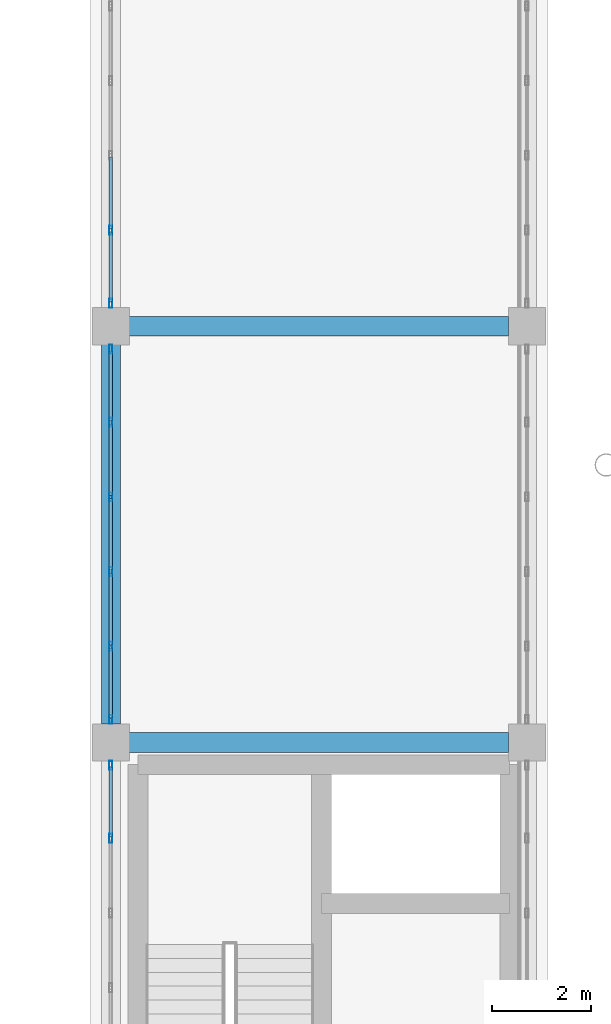
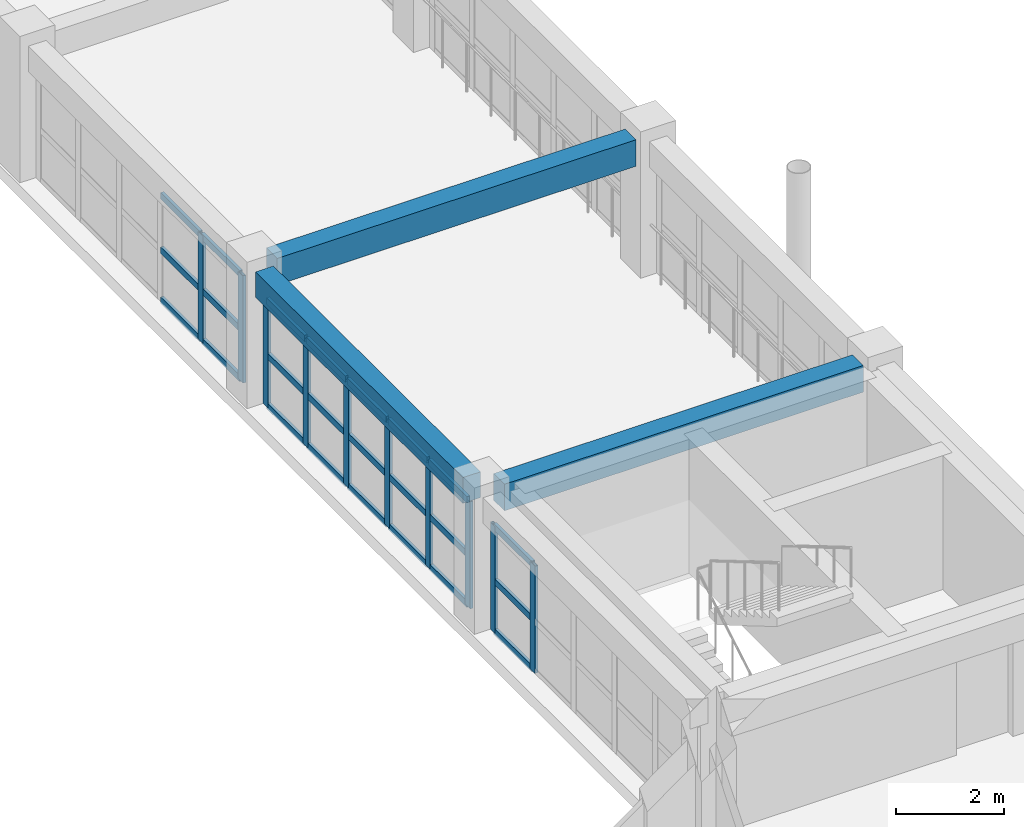
# One storey, part 130 of 200: 34 members, 3 beams, 3 elements without a shape of their own.
"""IFC4 building model written with IfcOpenShell, lengths in metres."""

from ifc_helpers import new_model, si_unit, direction, frame, origin, origin_2d, place, context, subcontext, project, spatial, rectangle, hollow_rectangle, extrude, material, layer, layer_set, material_profile, profile_set, type_object, element, aggregate, save


model = new_model("IFC4")

# Units and contexts
model_context = context("Model", 3, precision=1e-05, world=origin(), true_north=direction((0.0, 1.0)))
body_context = subcontext(model_context, "Body", "Model", "MODEL_VIEW")
ifc_project = project(units=[si_unit("LENGTHUNIT", "METRE"), si_unit("AREAUNIT", "SQUARE_METRE"), si_unit("VOLUMEUNIT", "CUBIC_METRE"), si_unit("PLANEANGLEUNIT", "RADIAN"), si_unit("MASSUNIT", "GRAM", prefix="KILO")], contexts=[model_context])

# Site, building, storey
site_placement = place(None, origin())
site = spatial("IfcSite", under=ifc_project, at=site_placement, CompositionType="ELEMENT")
building_placement = place(site_placement, origin())
building = spatial("IfcBuilding", under=site, at=building_placement, Name="Trelvath General Hospital", CompositionType="ELEMENT")
storey_placement = place(building_placement, frame((0.0, 0.0, 4.800048828125)))
storey = spatial("IfcBuildingStorey", under=building, at=storey_placement, Name="L01", CompositionType="ELEMENT", Elevation=4.800048828125)

# Beams
ifc_material_1 = material(Name="Concrete C35/45", Category="concrete")
ifc_material_profile_1 = material_profile(ifc_material_1, rectangle(XDim=0.3798828125, YDim=0.580078125, at=origin_2d()), Name="RCB380x580")
ifc_profile_set_1 = profile_set([ifc_material_profile_1], Name="Concrete C35/45")
beam_type_1 = type_object("IfcBeamType", Name="Beam RC380x580", PredefinedType="BEAM", material=ifc_profile_set_1)
beam_placement = place(storey_placement, frame((134.39990234375, 33.969970703125, 2.72998046875), z_axis=(0.0, 1.0, 0.0), x_axis=(-1.0, 0.0, 0.0)))
element("IfcBeam", 1, at=beam_placement, inside=storey, type_object=beam_type_1, Name="Grid Beam BY-116E", PredefinedType="BEAM", context=body_context, shape_type="SweptSolid", body=[
    extrude(rectangle(XDim=0.3798828125, YDim=0.580078125, at=origin_2d()), origin(), (0.0, 0.0, 1.0), 7.659912109375),
])
ifc_material_2 = material(Name="Concrete C35/45", Category="concrete")
ifc_material_profile_2 = material_profile(ifc_material_2, rectangle(XDim=0.39990234375, YDim=0.60009765625, at=origin_2d()), Name="RCB400x600")
ifc_profile_set_2 = profile_set([ifc_material_profile_2], Name="Concrete C35/45")
beam_type_2 = type_object("IfcBeamType", Name="Beam RC400x600", PredefinedType="BEAM", material=ifc_profile_set_2)
for number, where, z_axis, x_axis, name in (
    (2, (134.77001953125, 33.60009765625, 2.719970703125), (1.0, 0.0, 0.0), (0.0, 1.0, 0.0), "Grid Beam BX-116E"),
    (3, (134.77001953125, 42.0, 2.719970703125), (1.0, 0.0, 0.0), (0.0, 1.0, 0.0), "Grid Beam BX-116F"),
):
    element("IfcBeam", number, at=place(storey_placement, frame(where, z_axis=z_axis, x_axis=x_axis)), inside=storey, type_object=beam_type_2, Name=name, PredefinedType="BEAM", context=body_context, shape_type="SweptSolid", body=[
        extrude(rectangle(XDim=0.39990234375, YDim=0.60009765625, at=origin_2d()), origin(), (0.0, 0.0, 1.0), 7.659912109375),
    ])

# Curtain wall, members
ifc_material_3 = material(Name="Anodised aluminium and low-E glass", Category="aluminium")
ifc_layer = layer(ifc_material_3, 0.179931640625)
ifc_layer_set = layer_set([ifc_layer], Name="Anodised aluminium and low-E glass")
curtain_wall_type = type_object("IfcCurtainWallType", Name="CW Facade 754 242 18", PredefinedType="USERDEFINED", material=ifc_layer_set)
curtain_wall_1_placement = place(storey_placement, origin())
curtain_wall_1 = element("IfcCurtainWall", 4, at=curtain_wall_1_placement, inside=storey, type_object=curtain_wall_type, Name="Facade Curtain Wall CW-020", ObjectType="Unitised Glazed Curtain Wall", PredefinedType="USERDEFINED")
ifc_material_4 = material(Name="Anodised aluminium", Category="aluminium")
ifc_material_profile_3 = material_profile(ifc_material_4, hollow_rectangle(XDim=0.06494140625, YDim=0.179931640625, WallThickness=0.0048828125, at=origin_2d()), Name="RHS65x180x5")
ifc_profile_set_3 = profile_set([ifc_material_profile_3], Name="Anodised aluminium")
member_type_1 = type_object("IfcMemberType", Name="CurtainMullion 65x180", PredefinedType="MULLION", material=ifc_profile_set_3)
member_1_placement = place(storey_placement, frame((134.39990234375, 31.662109375, 0.0), z_axis=(0.0, 0.0, 1.0), x_axis=(-1.0, 0.0, 0.0)))
member_1 = element("IfcMember", 5, at=member_1_placement, type_object=member_type_1, Name="CW-020 mullion 5", PredefinedType="MULLION", context=body_context, shape_type="SweptSolid", body=[
    extrude(hollow_rectangle(XDim=0.06494140625, YDim=0.179931640625, WallThickness=0.0048828125, at=origin_2d()), origin(), (0.0, 0.0, 1.0), 2.419921875),
])
member_2_placement = place(storey_placement, frame((134.39990234375, 33.137451171875, 0.0), z_axis=(0.0, 0.0, 1.0), x_axis=(-1.0, 0.0, 0.0)))
member_2 = element("IfcMember", 6, at=member_2_placement, type_object=member_type_1, Name="CW-020 mullion 6", PredefinedType="MULLION", context=body_context, shape_type="SweptSolid", body=[
    extrude(hollow_rectangle(XDim=0.06494140625, YDim=0.179931640625, WallThickness=0.0048828125, at=origin_2d()), origin(), (0.0, 0.0, 1.0), 2.419921875),
])

curtain_wall_2_placement = place(storey_placement, origin())
curtain_wall_2 = element("IfcCurtainWall", 7, at=curtain_wall_2_placement, inside=storey, type_object=curtain_wall_type, Name="Facade Curtain Wall CW-022", ObjectType="Unitised Glazed Curtain Wall", PredefinedType="USERDEFINED")
member_3_placement = place(storey_placement, frame((134.39990234375, 34.0625, 0.0), z_axis=(0.0, 0.0, 1.0), x_axis=(-1.0, 0.0, 0.0)))
member_3 = element("IfcMember", 8, at=member_3_placement, type_object=member_type_1, Name="CW-022 mullion 1", PredefinedType="MULLION", context=body_context, shape_type="SweptSolid", body=[
    extrude(hollow_rectangle(XDim=0.06494140625, YDim=0.179931640625, WallThickness=0.0048828125, at=origin_2d()), origin(), (0.0, 0.0, 1.0), 2.419921875),
])
member_4_placement = place(storey_placement, frame((134.39990234375, 35.5380859375, 0.0), z_axis=(0.0, 0.0, 1.0), x_axis=(-1.0, 0.0, 0.0)))
member_4 = element("IfcMember", 9, at=member_4_placement, type_object=member_type_1, Name="CW-022 mullion 2", PredefinedType="MULLION", context=body_context, shape_type="SweptSolid", body=[
    extrude(hollow_rectangle(XDim=0.06494140625, YDim=0.179931640625, WallThickness=0.0048828125, at=origin_2d()), origin(), (0.0, 0.0, 1.0), 2.419921875),
])
member_5_placement = place(storey_placement, frame((134.39990234375, 37.0458984375, 0.0), z_axis=(0.0, 0.0, 1.0), x_axis=(-1.0, 0.0, 0.0)))
member_5 = element("IfcMember", 10, at=member_5_placement, type_object=member_type_1, Name="CW-022 mullion 3", PredefinedType="MULLION", context=body_context, shape_type="SweptSolid", body=[
    extrude(hollow_rectangle(XDim=0.06494140625, YDim=0.179931640625, WallThickness=0.0048828125, at=origin_2d()), origin(), (0.0, 0.0, 1.0), 2.419921875),
])
member_6_placement = place(storey_placement, frame((134.39990234375, 38.553955078125, 0.0), z_axis=(0.0, 0.0, 1.0), x_axis=(-1.0, 0.0, 0.0)))
member_6 = element("IfcMember", 11, at=member_6_placement, type_object=member_type_1, Name="CW-022 mullion 4", PredefinedType="MULLION", context=body_context, shape_type="SweptSolid", body=[
    extrude(hollow_rectangle(XDim=0.06494140625, YDim=0.179931640625, WallThickness=0.0048828125, at=origin_2d()), origin(), (0.0, 0.0, 1.0), 2.419921875),
])
member_7_placement = place(storey_placement, frame((134.39990234375, 40.06201171875, 0.0), z_axis=(0.0, 0.0, 1.0), x_axis=(-1.0, 0.0, 0.0)))
member_7 = element("IfcMember", 12, at=member_7_placement, type_object=member_type_1, Name="CW-022 mullion 5", PredefinedType="MULLION", context=body_context, shape_type="SweptSolid", body=[
    extrude(hollow_rectangle(XDim=0.06494140625, YDim=0.179931640625, WallThickness=0.0048828125, at=origin_2d()), origin(), (0.0, 0.0, 1.0), 2.419921875),
])
member_8_placement = place(storey_placement, frame((134.39990234375, 41.53759765625, 0.0), z_axis=(0.0, 0.0, 1.0), x_axis=(-1.0, 0.0, 0.0)))
member_8 = element("IfcMember", 13, at=member_8_placement, type_object=member_type_1, Name="CW-022 mullion 6", PredefinedType="MULLION", context=body_context, shape_type="SweptSolid", body=[
    extrude(hollow_rectangle(XDim=0.06494140625, YDim=0.179931640625, WallThickness=0.0048828125, at=origin_2d()), origin(), (0.0, 0.0, 1.0), 2.419921875),
])

curtain_wall_3_placement = place(storey_placement, origin())
curtain_wall_3 = element("IfcCurtainWall", 14, at=curtain_wall_3_placement, inside=storey, type_object=curtain_wall_type, Name="Facade Curtain Wall CW-024", ObjectType="Unitised Glazed Curtain Wall", PredefinedType="USERDEFINED")
member_9_placement = place(storey_placement, frame((134.39990234375, 42.46240234375, 0.0), z_axis=(0.0, 0.0, 1.0), x_axis=(-1.0, 0.0, 0.0)))
member_9 = element("IfcMember", 15, at=member_9_placement, type_object=member_type_1, Name="CW-024 mullion 1", PredefinedType="MULLION", context=body_context, shape_type="SweptSolid", body=[
    extrude(hollow_rectangle(XDim=0.06494140625, YDim=0.179931640625, WallThickness=0.0048828125, at=origin_2d()), origin(), (0.0, 0.0, 1.0), 2.419921875),
])
member_10_placement = place(storey_placement, frame((134.39990234375, 43.93798828125, 0.0), z_axis=(0.0, 0.0, 1.0), x_axis=(-1.0, 0.0, 0.0)))
member_10 = element("IfcMember", 16, at=member_10_placement, type_object=member_type_1, Name="CW-024 mullion 2", PredefinedType="MULLION", context=body_context, shape_type="SweptSolid", body=[
    extrude(hollow_rectangle(XDim=0.06494140625, YDim=0.179931640625, WallThickness=0.0048828125, at=origin_2d()), origin(), (0.0, 0.0, 1.0), 2.419921875),
])

# Member
ifc_material_5 = material(Name="Anodised aluminium", Category="aluminium")
ifc_material_profile_4 = material_profile(ifc_material_5, hollow_rectangle(XDim=0.06494140625, YDim=0.14501953125, WallThickness=0.00390625, at=origin_2d()), Name="RHS65x145x4")
ifc_profile_set_4 = profile_set([ifc_material_profile_4], Name="Anodised aluminium")
member_type_2 = type_object("IfcMemberType", Name="CurtainTransom 65x145", PredefinedType="USERDEFINED", material=ifc_profile_set_4)
member_11_placement = place(storey_placement, frame((134.39990234375, 31.694580078125, 0.032470703125), z_axis=(0.0, 1.0, 0.0), x_axis=(-1.0, 0.0, 0.0)))
member_11 = element("IfcMember", 17, at=member_11_placement, type_object=member_type_2, Name="CW-020 transom 5.1", ObjectType="TRANSOM", PredefinedType="USERDEFINED", context=body_context, shape_type="SweptSolid", body=[
    extrude(hollow_rectangle(XDim=0.06494140625, YDim=0.14501953125, WallThickness=0.00390625, at=origin_2d()), origin(), (0.0, 0.0, 1.0), 1.410400390625),
])

member_12_placement = place(storey_placement, frame((134.39990234375, 31.694580078125, 1.161865234375), z_axis=(0.0, 1.0, 0.0), x_axis=(-1.0, 0.0, 0.0)))
member_12 = element("IfcMember", 18, at=member_12_placement, type_object=member_type_2, Name="CW-020 transom 5.2", ObjectType="TRANSOM", PredefinedType="USERDEFINED", context=body_context, shape_type="SweptSolid", body=[
    extrude(hollow_rectangle(XDim=0.06494140625, YDim=0.14501953125, WallThickness=0.00390625, at=origin_2d()), origin(), (0.0, 0.0, 1.0), 1.410400390625),
])

member_13_placement = place(storey_placement, frame((134.39990234375, 31.694580078125, 2.387451171875), z_axis=(0.0, 1.0, 0.0), x_axis=(-1.0, 0.0, 0.0)))
member_13 = element("IfcMember", 19, at=member_13_placement, type_object=member_type_2, Name="CW-020 transom 5.3", ObjectType="TRANSOM", PredefinedType="USERDEFINED", context=body_context, shape_type="SweptSolid", body=[
    extrude(hollow_rectangle(XDim=0.06494140625, YDim=0.14501953125, WallThickness=0.00390625, at=origin_2d()), origin(), (0.0, 0.0, 1.0), 1.410400390625),
])

aggregate(curtain_wall_1, [member_1, member_2, member_11, member_12, member_13])

member_14_placement = place(storey_placement, frame((134.39990234375, 34.094970703125, 0.032470703125), z_axis=(0.0, 1.0, 0.0), x_axis=(-1.0, 0.0, 0.0)))
member_14 = element("IfcMember", 20, at=member_14_placement, type_object=member_type_2, Name="CW-022 transom 1.1", ObjectType="TRANSOM", PredefinedType="USERDEFINED", context=body_context, shape_type="SweptSolid", body=[
    extrude(hollow_rectangle(XDim=0.06494140625, YDim=0.14501953125, WallThickness=0.00390625, at=origin_2d()), origin(), (0.0, 0.0, 1.0), 1.41064453125),
])

member_15_placement = place(storey_placement, frame((134.39990234375, 34.094970703125, 1.161865234375), z_axis=(0.0, 1.0, 0.0), x_axis=(-1.0, 0.0, 0.0)))
member_15 = element("IfcMember", 21, at=member_15_placement, type_object=member_type_2, Name="CW-022 transom 1.2", ObjectType="TRANSOM", PredefinedType="USERDEFINED", context=body_context, shape_type="SweptSolid", body=[
    extrude(hollow_rectangle(XDim=0.06494140625, YDim=0.14501953125, WallThickness=0.00390625, at=origin_2d()), origin(), (0.0, 0.0, 1.0), 1.41064453125),
])

member_16_placement = place(storey_placement, frame((134.39990234375, 34.094970703125, 2.387451171875), z_axis=(0.0, 1.0, 0.0), x_axis=(-1.0, 0.0, 0.0)))
member_16 = element("IfcMember", 22, at=member_16_placement, type_object=member_type_2, Name="CW-022 transom 1.3", ObjectType="TRANSOM", PredefinedType="USERDEFINED", context=body_context, shape_type="SweptSolid", body=[
    extrude(hollow_rectangle(XDim=0.06494140625, YDim=0.14501953125, WallThickness=0.00390625, at=origin_2d()), origin(), (0.0, 0.0, 1.0), 1.41064453125),
])

member_17_placement = place(storey_placement, frame((134.39990234375, 35.570556640625, 0.032470703125), z_axis=(0.0, 1.0, 0.0), x_axis=(-1.0, 0.0, 0.0)))
member_17 = element("IfcMember", 23, at=member_17_placement, type_object=member_type_2, Name="CW-022 transom 2.1", ObjectType="TRANSOM", PredefinedType="USERDEFINED", context=body_context, shape_type="SweptSolid", body=[
    extrude(hollow_rectangle(XDim=0.06494140625, YDim=0.14501953125, WallThickness=0.00390625, at=origin_2d()), origin(), (0.0, 0.0, 1.0), 1.44287109375),
])

member_18_placement = place(storey_placement, frame((134.39990234375, 35.570556640625, 1.161865234375), z_axis=(0.0, 1.0, 0.0), x_axis=(-1.0, 0.0, 0.0)))
member_18 = element("IfcMember", 24, at=member_18_placement, type_object=member_type_2, Name="CW-022 transom 2.2", ObjectType="TRANSOM", PredefinedType="USERDEFINED", context=body_context, shape_type="SweptSolid", body=[
    extrude(hollow_rectangle(XDim=0.06494140625, YDim=0.14501953125, WallThickness=0.00390625, at=origin_2d()), origin(), (0.0, 0.0, 1.0), 1.44287109375),
])

member_19_placement = place(storey_placement, frame((134.39990234375, 35.570556640625, 2.387451171875), z_axis=(0.0, 1.0, 0.0), x_axis=(-1.0, 0.0, 0.0)))
member_19 = element("IfcMember", 25, at=member_19_placement, type_object=member_type_2, Name="CW-022 transom 2.3", ObjectType="TRANSOM", PredefinedType="USERDEFINED", context=body_context, shape_type="SweptSolid", body=[
    extrude(hollow_rectangle(XDim=0.06494140625, YDim=0.14501953125, WallThickness=0.00390625, at=origin_2d()), origin(), (0.0, 0.0, 1.0), 1.44287109375),
])

member_20_placement = place(storey_placement, frame((134.39990234375, 37.07861328125, 0.032470703125), z_axis=(0.0, 1.0, 0.0), x_axis=(-1.0, 0.0, 0.0)))
member_20 = element("IfcMember", 26, at=member_20_placement, type_object=member_type_2, Name="CW-022 transom 3.1", ObjectType="TRANSOM", PredefinedType="USERDEFINED", context=body_context, shape_type="SweptSolid", body=[
    extrude(hollow_rectangle(XDim=0.06494140625, YDim=0.14501953125, WallThickness=0.00390625, at=origin_2d()), origin(), (0.0, 0.0, 1.0), 1.44287109375),
])

member_21_placement = place(storey_placement, frame((134.39990234375, 37.07861328125, 1.161865234375), z_axis=(0.0, 1.0, 0.0), x_axis=(-1.0, 0.0, 0.0)))
member_21 = element("IfcMember", 27, at=member_21_placement, type_object=member_type_2, Name="CW-022 transom 3.2", ObjectType="TRANSOM", PredefinedType="USERDEFINED", context=body_context, shape_type="SweptSolid", body=[
    extrude(hollow_rectangle(XDim=0.06494140625, YDim=0.14501953125, WallThickness=0.00390625, at=origin_2d()), origin(), (0.0, 0.0, 1.0), 1.44287109375),
])

member_22_placement = place(storey_placement, frame((134.39990234375, 37.07861328125, 2.387451171875), z_axis=(0.0, 1.0, 0.0), x_axis=(-1.0, 0.0, 0.0)))
member_22 = element("IfcMember", 28, at=member_22_placement, type_object=member_type_2, Name="CW-022 transom 3.3", ObjectType="TRANSOM", PredefinedType="USERDEFINED", context=body_context, shape_type="SweptSolid", body=[
    extrude(hollow_rectangle(XDim=0.06494140625, YDim=0.14501953125, WallThickness=0.00390625, at=origin_2d()), origin(), (0.0, 0.0, 1.0), 1.44287109375),
])

member_23_placement = place(storey_placement, frame((134.39990234375, 38.58642578125, 0.032470703125), z_axis=(0.0, 1.0, 0.0), x_axis=(-1.0, 0.0, 0.0)))
member_23 = element("IfcMember", 29, at=member_23_placement, type_object=member_type_2, Name="CW-022 transom 4.1", ObjectType="TRANSOM", PredefinedType="USERDEFINED", context=body_context, shape_type="SweptSolid", body=[
    extrude(hollow_rectangle(XDim=0.06494140625, YDim=0.14501953125, WallThickness=0.00390625, at=origin_2d()), origin(), (0.0, 0.0, 1.0), 1.443115234375),
])

member_24_placement = place(storey_placement, frame((134.39990234375, 38.58642578125, 1.161865234375), z_axis=(0.0, 1.0, 0.0), x_axis=(-1.0, 0.0, 0.0)))
member_24 = element("IfcMember", 30, at=member_24_placement, type_object=member_type_2, Name="CW-022 transom 4.2", ObjectType="TRANSOM", PredefinedType="USERDEFINED", context=body_context, shape_type="SweptSolid", body=[
    extrude(hollow_rectangle(XDim=0.06494140625, YDim=0.14501953125, WallThickness=0.00390625, at=origin_2d()), origin(), (0.0, 0.0, 1.0), 1.443115234375),
])

member_25_placement = place(storey_placement, frame((134.39990234375, 38.58642578125, 2.387451171875), z_axis=(0.0, 1.0, 0.0), x_axis=(-1.0, 0.0, 0.0)))
member_25 = element("IfcMember", 31, at=member_25_placement, type_object=member_type_2, Name="CW-022 transom 4.3", ObjectType="TRANSOM", PredefinedType="USERDEFINED", context=body_context, shape_type="SweptSolid", body=[
    extrude(hollow_rectangle(XDim=0.06494140625, YDim=0.14501953125, WallThickness=0.00390625, at=origin_2d()), origin(), (0.0, 0.0, 1.0), 1.443115234375),
])

member_26_placement = place(storey_placement, frame((134.39990234375, 40.094482421875, 0.032470703125), z_axis=(0.0, 1.0, 0.0), x_axis=(-1.0, 0.0, 0.0)))
member_26 = element("IfcMember", 32, at=member_26_placement, type_object=member_type_2, Name="CW-022 transom 5.1", ObjectType="TRANSOM", PredefinedType="USERDEFINED", context=body_context, shape_type="SweptSolid", body=[
    extrude(hollow_rectangle(XDim=0.06494140625, YDim=0.14501953125, WallThickness=0.00390625, at=origin_2d()), origin(), (0.0, 0.0, 1.0), 1.410400390625),
])

member_27_placement = place(storey_placement, frame((134.39990234375, 40.094482421875, 1.161865234375), z_axis=(0.0, 1.0, 0.0), x_axis=(-1.0, 0.0, 0.0)))
member_27 = element("IfcMember", 33, at=member_27_placement, type_object=member_type_2, Name="CW-022 transom 5.2", ObjectType="TRANSOM", PredefinedType="USERDEFINED", context=body_context, shape_type="SweptSolid", body=[
    extrude(hollow_rectangle(XDim=0.06494140625, YDim=0.14501953125, WallThickness=0.00390625, at=origin_2d()), origin(), (0.0, 0.0, 1.0), 1.410400390625),
])

member_28_placement = place(storey_placement, frame((134.39990234375, 40.094482421875, 2.387451171875), z_axis=(0.0, 1.0, 0.0), x_axis=(-1.0, 0.0, 0.0)))
member_28 = element("IfcMember", 34, at=member_28_placement, type_object=member_type_2, Name="CW-022 transom 5.3", ObjectType="TRANSOM", PredefinedType="USERDEFINED", context=body_context, shape_type="SweptSolid", body=[
    extrude(hollow_rectangle(XDim=0.06494140625, YDim=0.14501953125, WallThickness=0.00390625, at=origin_2d()), origin(), (0.0, 0.0, 1.0), 1.410400390625),
])

aggregate(curtain_wall_2, [member_3, member_4, member_5, member_6, member_7, member_8, member_14, member_15, member_16, member_17, member_18, member_19, member_20, member_21, member_22, member_23, member_24, member_25, member_26, member_27, member_28])

member_29_placement = place(storey_placement, frame((134.39990234375, 42.4951171875, 0.032470703125), z_axis=(0.0, 1.0, 0.0), x_axis=(-1.0, 0.0, 0.0)))
member_29 = element("IfcMember", 35, at=member_29_placement, type_object=member_type_2, Name="CW-024 transom 1.1", ObjectType="TRANSOM", PredefinedType="USERDEFINED", context=body_context, shape_type="SweptSolid", body=[
    extrude(hollow_rectangle(XDim=0.06494140625, YDim=0.14501953125, WallThickness=0.00390625, at=origin_2d()), origin(), (0.0, 0.0, 1.0), 1.410400390625),
])

member_30_placement = place(storey_placement, frame((134.39990234375, 42.4951171875, 1.161865234375), z_axis=(0.0, 1.0, 0.0), x_axis=(-1.0, 0.0, 0.0)))
member_30 = element("IfcMember", 36, at=member_30_placement, type_object=member_type_2, Name="CW-024 transom 1.2", ObjectType="TRANSOM", PredefinedType="USERDEFINED", context=body_context, shape_type="SweptSolid", body=[
    extrude(hollow_rectangle(XDim=0.06494140625, YDim=0.14501953125, WallThickness=0.00390625, at=origin_2d()), origin(), (0.0, 0.0, 1.0), 1.410400390625),
])

member_31_placement = place(storey_placement, frame((134.39990234375, 42.4951171875, 2.387451171875), z_axis=(0.0, 1.0, 0.0), x_axis=(-1.0, 0.0, 0.0)))
member_31 = element("IfcMember", 37, at=member_31_placement, type_object=member_type_2, Name="CW-024 transom 1.3", ObjectType="TRANSOM", PredefinedType="USERDEFINED", context=body_context, shape_type="SweptSolid", body=[
    extrude(hollow_rectangle(XDim=0.06494140625, YDim=0.14501953125, WallThickness=0.00390625, at=origin_2d()), origin(), (0.0, 0.0, 1.0), 1.410400390625),
])

member_32_placement = place(storey_placement, frame((134.39990234375, 43.970458984375, 0.032470703125), z_axis=(0.0, 1.0, 0.0), x_axis=(-1.0, 0.0, 0.0)))
member_32 = element("IfcMember", 38, at=member_32_placement, type_object=member_type_2, Name="CW-024 transom 2.1", ObjectType="TRANSOM", PredefinedType="USERDEFINED", context=body_context, shape_type="SweptSolid", body=[
    extrude(hollow_rectangle(XDim=0.06494140625, YDim=0.14501953125, WallThickness=0.00390625, at=origin_2d()), origin(), (0.0, 0.0, 1.0), 1.443115234375),
])

member_33_placement = place(storey_placement, frame((134.39990234375, 43.970458984375, 1.161865234375), z_axis=(0.0, 1.0, 0.0), x_axis=(-1.0, 0.0, 0.0)))
member_33 = element("IfcMember", 39, at=member_33_placement, type_object=member_type_2, Name="CW-024 transom 2.2", ObjectType="TRANSOM", PredefinedType="USERDEFINED", context=body_context, shape_type="SweptSolid", body=[
    extrude(hollow_rectangle(XDim=0.06494140625, YDim=0.14501953125, WallThickness=0.00390625, at=origin_2d()), origin(), (0.0, 0.0, 1.0), 1.443115234375),
])

member_34_placement = place(storey_placement, frame((134.39990234375, 43.970458984375, 2.387451171875), z_axis=(0.0, 1.0, 0.0), x_axis=(-1.0, 0.0, 0.0)))
member_34 = element("IfcMember", 40, at=member_34_placement, type_object=member_type_2, Name="CW-024 transom 2.3", ObjectType="TRANSOM", PredefinedType="USERDEFINED", context=body_context, shape_type="SweptSolid", body=[
    extrude(hollow_rectangle(XDim=0.06494140625, YDim=0.14501953125, WallThickness=0.00390625, at=origin_2d()), origin(), (0.0, 0.0, 1.0), 1.443115234375),
])

aggregate(curtain_wall_3, [member_9, member_10, member_29, member_30, member_31, member_32, member_33, member_34])

save(model, "model.ifc")
